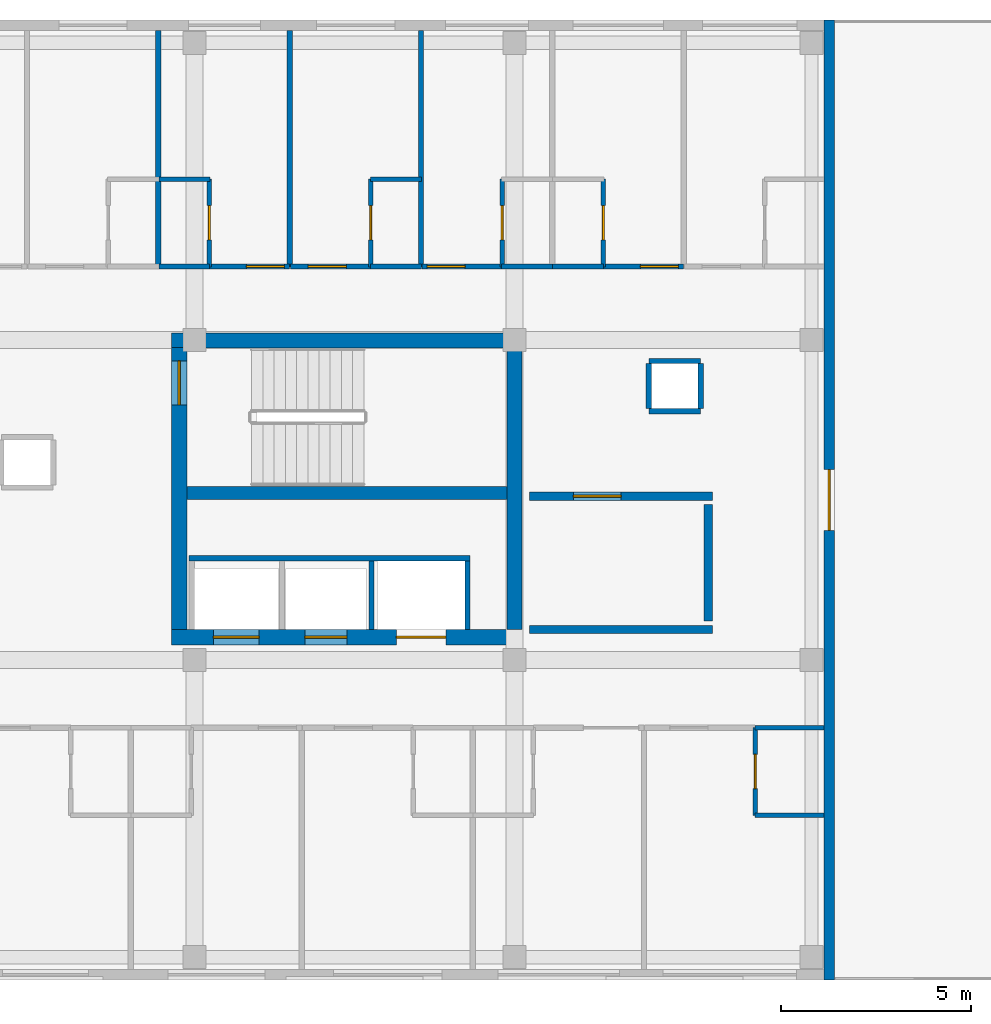
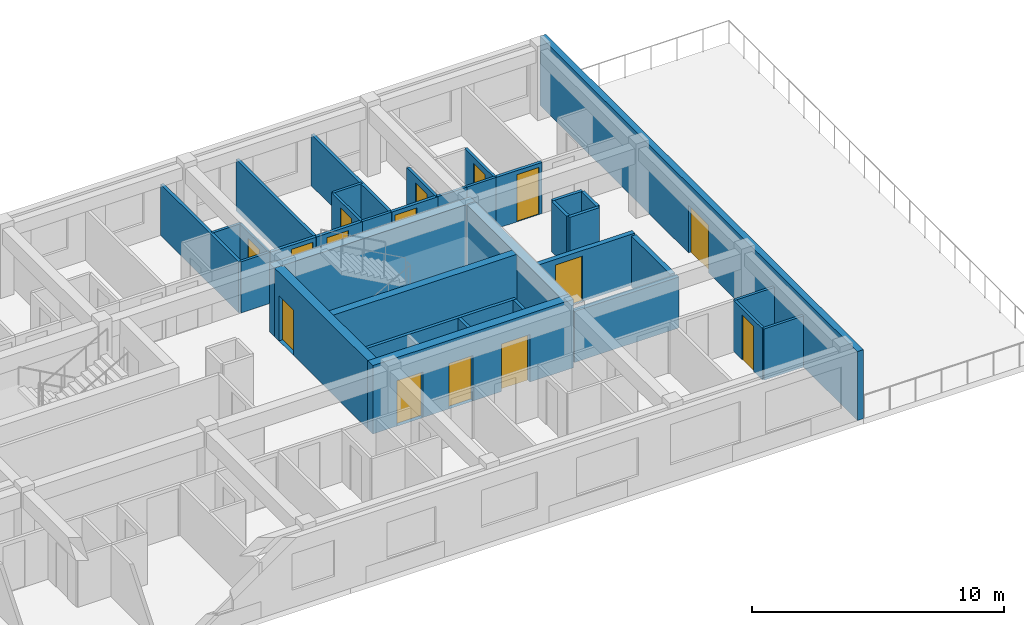
# One storey, part 6 of 9: 36 walls, 15 doors, 15 openings.
"""IFC4 building model written with IfcOpenShell, lengths in metres."""

from ifc_helpers import new_model, si_unit, direction, frame, frame_2d, origin, place, context, subcontext, project, spatial, rectangle, extrude, material, layer, layer_set, type_object, element, fill, save


model = new_model("IFC4")

# Units and contexts
model_context = context("Model", 3, precision=1e-05, world=origin(), true_north=direction((0.0, 1.0)))
body_context = subcontext(model_context, "Body", "Model", "MODEL_VIEW")
ifc_project = project(units=[si_unit("LENGTHUNIT", "METRE"), si_unit("AREAUNIT", "SQUARE_METRE"), si_unit("VOLUMEUNIT", "CUBIC_METRE"), si_unit("PLANEANGLEUNIT", "RADIAN"), si_unit("MASSUNIT", "GRAM", prefix="KILO")], contexts=[model_context])

# Site, building, storey
site_placement = place(None, origin())
site = spatial("IfcSite", under=ifc_project, at=site_placement, CompositionType="ELEMENT")
building_placement = place(site_placement, origin())
building = spatial("IfcBuilding", under=site, at=building_placement, Name="Zayran Congress Hotel", CompositionType="ELEMENT")
storey_placement = place(building_placement, frame((0.0, 0.0, 40.800048828125)))
storey = spatial("IfcBuildingStorey", under=building, at=storey_placement, Name="L10", CompositionType="ELEMENT", Elevation=40.800048828125)

# Wall, opening, door
ifc_material_1 = material(Name="Hajar Ma'ani limestone cavity wall and concrete C32/40", Category="masonry")
ifc_layer_1 = layer(ifc_material_1, 0.280029296875)
ifc_layer_set_1 = layer_set([ifc_layer_1], Name="Hajar Ma'ani limestone cavity wall and concrete C32/40")
wall_type_1 = type_object("IfcWallType", Name="WL-EX-280", PredefinedType="SOLIDWALL", material=ifc_layer_set_1)
wall_1_placement = place(storey_placement, frame((67.06005859375, 34.0, 0.0), z_axis=(0.0, 0.0, 1.0), x_axis=(0.0, -1.0, 0.0)))
wall_1 = element("IfcWall", 1, at=wall_1_placement, inside=storey, type_object=wall_type_1, Name="EW-V5-E-L10", PredefinedType="SOLIDWALL", context=body_context, shape_type="SweptSolid", body=[
    extrude(rectangle(XDim=25.199951171875, YDim=0.280029296875, at=frame_2d((12.60009765625, 0.0))), origin(), (0.0, 0.0, 1.0), 3.33984375),
])
opening_1_placement = place(wall_1_placement, frame((11.800048828125, 0.0, 0.0)))
opening_1 = element("IfcOpeningElement", 2, at=opening_1_placement, cuts=wall_1, Name="Opening DEX-04", PredefinedType="OPENING", context=body_context, shape_type="SweptSolid", body=[
    extrude(rectangle(XDim=1.60009765625, YDim=2.300048828125, at=frame_2d((0.800048828125, 1.14990234375))), frame((0.0, 0.14990234375, 0.0), z_axis=(0.0, -1.0, 0.0), x_axis=(1.0, 0.0, 0.0)), (0.0, 0.0, 1.0), 0.300048828125),
])
ifc_material_2 = material(Name="Anodised aluminium terrace door", Category="aluminium")
door_type_1 = type_object("IfcDoorType", Name="TP-DEX-04", OperationType="DOUBLE_DOOR_SINGLE_SWING", PredefinedType="DOOR", material=ifc_material_2)
door_1_placement = place(opening_1_placement, origin())
door_1 = element("IfcDoor", 3, at=door_1_placement, inside=storey, type_object=door_type_1, Name="L10 East Planted Roof Terrace Door", OperationType="DOUBLE_DOOR_SINGLE_SWING", OverallHeight=2.300048828125, OverallWidth=1.60009765625, PredefinedType="DOOR", context=body_context, shape_type="SweptSolid", body=[
    extrude(rectangle(XDim=1.60009765625, YDim=2.300048828125, at=frame_2d((0.800048828125, 1.14990234375))), frame((0.0, 0.02490234375, 0.0), z_axis=(0.0, -1.0, 0.0), x_axis=(1.0, 0.0, 0.0)), (0.0, 0.0, 1.0), 0.050048828125),
])
fill(opening_1, door_1)

# Wall, openings, doors
ifc_material_3 = material(Name="Concrete C40/50", Category="concrete")
ifc_layer_2 = layer(ifc_material_3, 0.39990234375)
ifc_layer_set_2 = layer_set([ifc_layer_2], Name="Concrete C40/50")
wall_type_2 = type_object("IfcWallType", Name="WL-SH-400", PredefinedType="SHEAR", material=ifc_layer_set_2)
wall_2_placement = place(storey_placement, frame((49.800048828125, 17.800048828125, 0.0), z_axis=(0.0, 0.0, 1.0), x_axis=(1.0, 0.0, 0.0)))
wall_2 = element("IfcWall", 4, at=wall_2_placement, inside=storey, type_object=wall_type_2, Name="CWALL-C-V5E-L10-S", PredefinedType="SHEAR", context=body_context, shape_type="SweptSolid", body=[
    extrude(rectangle(XDim=9.199951171875, YDim=0.39990234375, at=frame_2d((4.60009765625, 0.0))), origin(), (0.0, 0.0, 1.0), 3.320068359375),
])
opening_2_placement = place(wall_2_placement, frame((1.10009765625, 0.0, 0.0)))
opening_2 = element("IfcOpeningElement", 5, at=opening_2_placement, cuts=wall_2, Name="Opening LD-FL02", PredefinedType="OPENING", context=body_context, shape_type="SweptSolid", body=[
    extrude(rectangle(XDim=1.199951171875, YDim=2.199951171875, at=frame_2d((0.60009765625, 1.10009765625))), frame((0.0, 0.2099609375, 0.0), z_axis=(0.0, -1.0, 0.0), x_axis=(1.0, 0.0, 0.0)), (0.0, 0.0, 1.0), 0.419921875),
])
opening_3_placement = place(wall_2_placement, frame((3.5, 0.0, 0.0)))
opening_3 = element("IfcOpeningElement", 6, at=opening_3_placement, cuts=wall_2, Name="Opening LD-PL03", PredefinedType="OPENING", context=body_context, shape_type="SweptSolid", body=[
    extrude(rectangle(XDim=1.10009765625, YDim=2.199951171875, at=frame_2d((0.550048828125, 1.10009765625))), frame((0.0, 0.2099609375, 0.0), z_axis=(0.0, -1.0, 0.0), x_axis=(1.0, 0.0, 0.0)), (0.0, 0.0, 1.0), 0.419921875),
])
opening_4_placement = place(wall_2_placement, frame((5.89990234375, 0.0, 0.0)))
opening_4 = element("IfcOpeningElement", 7, at=opening_4_placement, cuts=wall_2, Name="Opening LD-SV01", PredefinedType="OPENING", context=body_context, shape_type="SweptSolid", body=[
    extrude(rectangle(XDim=1.300048828125, YDim=2.300048828125, at=frame_2d((0.64990234375, 1.14990234375))), frame((0.0, 0.2099609375, 0.0), z_axis=(0.0, -1.0, 0.0), x_axis=(1.0, 0.0, 0.0)), (0.0, 0.0, 1.0), 0.419921875),
])
ifc_material_4 = material(Name="Brushed stainless steel sliding lift landing door", Category="steel")
door_type_2 = type_object("IfcDoorType", Name="TP-DR-LD-01", OperationType="DOUBLE_DOOR_SLIDING", PredefinedType="DOOR", material=ifc_material_4)
door_2_placement = place(opening_3_placement, origin())
door_2 = element("IfcDoor", 8, at=door_2_placement, inside=storey, type_object=door_type_2, Name="Lift PL-03 Sliding Landing Door L10", OperationType="DOUBLE_DOOR_SLIDING", OverallHeight=2.199951171875, OverallWidth=1.10009765625, PredefinedType="DOOR", context=body_context, shape_type="SweptSolid", body=[
    extrude(rectangle(XDim=1.10009765625, YDim=2.199951171875, at=frame_2d((0.550048828125, 1.10009765625))), frame((0.0, 0.02490234375, 0.0), z_axis=(0.0, -1.0, 0.0), x_axis=(1.0, 0.0, 0.0)), (0.0, 0.0, 1.0), 0.050048828125),
])
fill(opening_3, door_2)
ifc_material_5 = material(Name="Brushed stainless steel firefighting lift landing door", Category="steel")
door_type_3 = type_object("IfcDoorType", Name="TP-DR-LD-02", OperationType="DOUBLE_DOOR_SLIDING", PredefinedType="DOOR", material=ifc_material_5)
door_3_placement = place(opening_2_placement, origin())
door_3 = element("IfcDoor", 9, at=door_3_placement, inside=storey, type_object=door_type_3, Name="Lift FL-02 Sliding Landing Door L10", OperationType="DOUBLE_DOOR_SLIDING", OverallHeight=2.199951171875, OverallWidth=1.199951171875, PredefinedType="DOOR", context=body_context, shape_type="SweptSolid", body=[
    extrude(rectangle(XDim=1.199951171875, YDim=2.199951171875, at=frame_2d((0.60009765625, 1.10009765625))), frame((0.0, 0.02490234375, 0.0), z_axis=(0.0, -1.0, 0.0), x_axis=(1.0, 0.0, 0.0)), (0.0, 0.0, 1.0), 0.050048828125),
])
fill(opening_2, door_3)
ifc_material_6 = material(Name="Heavy-duty stainless steel service lift landing door", Category="steel")
door_type_4 = type_object("IfcDoorType", Name="TP-DR-LD-03", OperationType="DOUBLE_DOOR_SLIDING", PredefinedType="DOOR", material=ifc_material_6)
door_4_placement = place(opening_4_placement, origin())
door_4 = element("IfcDoor", 10, at=door_4_placement, inside=storey, type_object=door_type_4, Name="Lift SV-01 Sliding Landing Door L10", OperationType="DOUBLE_DOOR_SLIDING", OverallHeight=2.300048828125, OverallWidth=1.300048828125, PredefinedType="DOOR", context=body_context, shape_type="SweptSolid", body=[
    extrude(rectangle(XDim=1.300048828125, YDim=2.300048828125, at=frame_2d((0.64990234375, 1.14990234375))), frame((0.0, 0.02490234375, 0.0), z_axis=(0.0, -1.0, 0.0), x_axis=(1.0, 0.0, 0.0)), (0.0, 0.0, 1.0), 0.050048828125),
])
fill(opening_4, door_4)

# Wall
wall_3_placement = place(storey_placement, frame((59.0, 25.5849609375, 0.0), z_axis=(0.0, 0.0, 1.0), x_axis=(-1.0, 0.0, 0.0)))
element("IfcWall", 11, at=wall_3_placement, inside=storey, type_object=wall_type_2, Name="CWALL-C-V5E-L10-N", PredefinedType="SHEAR", context=body_context, shape_type="SweptSolid", body=[
    extrude(rectangle(XDim=9.199951171875, YDim=0.39990234375, at=frame_2d((4.60009765625, 0.0))), origin(), (0.0, 0.0, 1.0), 3.320068359375),
])

# Wall, opening, door
wall_4_placement = place(storey_placement, frame((50.0, 25.39990234375, 0.0), z_axis=(0.0, 0.0, 1.0), x_axis=(0.0, -1.0, 0.0)))
wall_4 = element("IfcWall", 12, at=wall_4_placement, inside=storey, type_object=wall_type_2, Name="CWALL-C-V5E-L10-W", PredefinedType="SHEAR", context=body_context, shape_type="SweptSolid", body=[
    extrude(rectangle(XDim=7.39990234375, YDim=0.39990234375, at=frame_2d((3.699951171875, 0.0))), origin(), (0.0, 0.0, 1.0), 3.320068359375),
])
opening_5_placement = place(wall_4_placement, frame((0.35009765625, 0.0, 0.0)))
opening_5 = element("IfcOpeningElement", 13, at=opening_5_placement, cuts=wall_4, Name="Opening DR-FD-90", PredefinedType="OPENING", context=body_context, shape_type="SweptSolid", body=[
    extrude(rectangle(XDim=1.14990234375, YDim=2.199951171875, at=frame_2d((0.574951171875, 1.10009765625))), frame((0.0, 0.2099609375, 0.0), z_axis=(0.0, -1.0, 0.0), x_axis=(1.0, 0.0, 0.0)), (0.0, 0.0, 1.0), 0.419921875),
])
ifc_material_7 = material(Name="Painted steel fire door assembly", Category="steel")
door_type_5 = type_object("IfcDoorType", Name="TP-DR-FD-90", OperationType="NOTDEFINED", PredefinedType="DOOR", material=ifc_material_7)
door_5_placement = place(opening_5_placement, origin())
door_5 = element("IfcDoor", 14, at=door_5_placement, inside=storey, type_object=door_type_5, Name="ST-02 Exit Stair Door L10", OperationType="SINGLE_SWING_LEFT", OverallHeight=2.199951171875, OverallWidth=1.14990234375, PredefinedType="DOOR", context=body_context, shape_type="SweptSolid", body=[
    extrude(rectangle(XDim=1.14990234375, YDim=2.199951171875, at=frame_2d((0.574951171875, 1.10009765625))), frame((0.0, 0.02490234375, 0.0), z_axis=(0.0, -1.0, 0.0), x_axis=(1.0, 0.0, 0.0)), (0.0, 0.0, 1.0), 0.050048828125),
])
fill(opening_5, door_5)

# Walls
wall_5_placement = place(storey_placement, frame((58.800048828125, 18.0, 0.0), z_axis=(0.0, 0.0, 1.0), x_axis=(0.0, 1.0, 0.0)))
element("IfcWall", 15, at=wall_5_placement, inside=storey, type_object=wall_type_2, Name="CWALL-C-V5E-L10-E", PredefinedType="SHEAR", context=body_context, shape_type="SweptSolid", body=[
    extrude(rectangle(XDim=7.39990234375, YDim=0.39990234375, at=frame_2d((3.699951171875, 0.0))), origin(), (0.0, 0.0, 1.0), 3.320068359375),
])
ifc_layer_3 = layer(ifc_material_3, 0.35009765625)
ifc_layer_set_3 = layer_set([ifc_layer_3], Name="Concrete C40/50")
wall_type_3 = type_object("IfcWallType", Name="WL-SH-350", PredefinedType="SHEAR", material=ifc_layer_set_3)
wall_6_placement = place(storey_placement, frame((50.199951171875, 21.5849609375, 0.0), z_axis=(0.0, 0.0, 1.0), x_axis=(1.0, 0.0, 0.0)))
element("IfcWall", 16, at=wall_6_placement, inside=storey, type_object=wall_type_3, Name="CWALL-C-V5E-L10-SPN", PredefinedType="SHEAR", context=body_context, shape_type="SweptSolid", body=[
    extrude(rectangle(XDim=8.400146484375, YDim=0.35009765625, at=frame_2d((4.2001953125, 0.0))), origin(), (0.0, 0.0, 1.0), 3.320068359375),
])
ifc_material_8 = material(Name="Concrete C32/40 fire wall", Category="concrete")
ifc_layer_4 = layer(ifc_material_8, 0.219970703125)
ifc_layer_set_4 = layer_set([ifc_layer_4], Name="Concrete C32/40 fire wall")
wall_type_4 = type_object("IfcWallType", Name="WL-FF-220", PredefinedType="SOLIDWALL", material=ifc_layer_set_4)
wall_7_placement = place(storey_placement, frame((59.199951171875, 18.0, 0.0), z_axis=(0.0, 0.0, 1.0), x_axis=(1.0, 0.0, 0.0)))
element("IfcWall", 17, at=wall_7_placement, inside=storey, type_object=wall_type_4, Name="FFWL-C-V5E-L10-S", PredefinedType="SOLIDWALL", context=body_context, shape_type="SweptSolid", body=[
    extrude(rectangle(XDim=4.800048828125, YDim=0.219970703125, at=frame_2d((2.39990234375, 0.0))), origin(), (0.0, 0.0, 1.0), 2.469970703125),
])

# Wall, opening, door
wall_8_placement = place(storey_placement, frame((59.199951171875, 21.5, 0.0), z_axis=(0.0, 0.0, 1.0), x_axis=(1.0, 0.0, 0.0)))
wall_8 = element("IfcWall", 18, at=wall_8_placement, inside=storey, type_object=wall_type_4, Name="FFWL-C-V5E-L10-N", PredefinedType="SOLIDWALL", context=body_context, shape_type="SweptSolid", body=[
    extrude(rectangle(XDim=4.800048828125, YDim=0.219970703125, at=frame_2d((2.39990234375, 0.0))), origin(), (0.0, 0.0, 1.0), 2.469970703125),
])
opening_6_placement = place(wall_8_placement, frame((1.14990234375, 0.0, 0.0)))
opening_6 = element("IfcOpeningElement", 19, at=opening_6_placement, cuts=wall_8, Name="Opening DR-FF-60", PredefinedType="OPENING", context=body_context, shape_type="SweptSolid", body=[
    extrude(rectangle(XDim=1.25, YDim=2.199951171875, at=frame_2d((0.625, 1.10009765625))), frame((0.0, 0.119873046875, 0.0), z_axis=(0.0, -1.0, 0.0), x_axis=(1.0, 0.0, 0.0)), (0.0, 0.0, 1.0), 0.239990234375),
])
ifc_material_9 = material(Name="Painted steel smoke-seal fire door", Category="steel")
door_type_6 = type_object("IfcDoorType", Name="TP-DR-FF-60", OperationType="NOTDEFINED", PredefinedType="DOOR", material=ifc_material_9)
door_6_placement = place(opening_6_placement, origin())
door_6 = element("IfcDoor", 20, at=door_6_placement, inside=storey, type_object=door_type_6, Name="Firefighting Lift Lobby Door C-V5E L10", OperationType="SINGLE_SWING_RIGHT", OverallHeight=2.199951171875, OverallWidth=1.25, PredefinedType="DOOR", context=body_context, shape_type="SweptSolid", body=[
    extrude(rectangle(XDim=1.25, YDim=2.199951171875, at=frame_2d((0.625, 1.10009765625))), frame((0.0, 0.02490234375, 0.0), z_axis=(0.0, -1.0, 0.0), x_axis=(1.0, 0.0, 0.0)), (0.0, 0.0, 1.0), 0.050048828125),
])
fill(opening_6, door_6)

# Walls
wall_9_placement = place(storey_placement, frame((63.889892578125, 18.219970703125, 0.0), z_axis=(0.0, 0.0, 1.0), x_axis=(0.0, 1.0, 0.0)))
element("IfcWall", 21, at=wall_9_placement, inside=storey, type_object=wall_type_4, Name="FFWL-C-V5E-L10-SD", PredefinedType="SOLIDWALL", context=body_context, shape_type="SweptSolid", body=[
    extrude(rectangle(XDim=3.06005859375, YDim=0.219970703125, at=frame_2d((1.530029296875, 0.0))), origin(), (0.0, 0.0, 1.0), 2.469970703125),
])
ifc_material_10 = material(Name="Hospitality guestroom acoustic partition", Category="gypsum")
ifc_layer_5 = layer(ifc_material_10, 0.139892578125)
ifc_layer_set_5 = layer_set([ifc_layer_5], Name="Hospitality guestroom acoustic partition")
wall_type_5 = type_object("IfcWallType", Name="WL-PT-140", PredefinedType="PARTITIONING", material=ifc_layer_set_5)
for number, where, z_axis, x_axis, name in (
    (22, (55.050048828125, 18.0, 0.0), (0.0, 0.0, 1.0), (0.0, 1.0, 0.0), "LSHW-C-V5E-L10-DIV2"),
    (23, (57.570068359375, 18.0, 0.0), (0.0, 0.0, 1.0), (0.0, 1.0, 0.0), "LSHW-C-V5E-L10-E"),
):
    element("IfcWall", number, at=place(storey_placement, frame(where, z_axis=z_axis, x_axis=x_axis)), inside=storey, type_object=wall_type_5, Name=name, PredefinedType="PARTITIONING", context=body_context, shape_type="SweptSolid", body=[
        extrude(rectangle(XDim=1.800048828125, YDim=0.139892578125, at=frame_2d((0.89990234375, 0.0))), origin(), (0.0, 0.0, 1.0), 2.469970703125),
    ])
wall_10_placement = place(storey_placement, frame((50.260009765625, 19.8701171875, 0.0), z_axis=(0.0, 0.0, 1.0), x_axis=(1.0, 0.0, 0.0)))
element("IfcWall", 24, at=wall_10_placement, inside=storey, type_object=wall_type_5, Name="LSHW-C-V5E-L10-N", PredefinedType="PARTITIONING", context=body_context, shape_type="SweptSolid", body=[
    extrude(rectangle(XDim=7.3798828125, YDim=0.139892578125, at=frame_2d((3.68994140625, 0.0))), origin(), (0.0, 0.0, 1.0), 2.469970703125),
])

# Wall, opening, door
wall_11_placement = place(storey_placement, frame((50.7939453125, 27.530029296875, 0.0), z_axis=(0.0, 0.0, 1.0), x_axis=(1.0, 0.0, 0.0)))
wall_11 = element("IfcWall", 25, at=wall_11_placement, inside=storey, type_object=wall_type_5, Name="IW-L10-0832", PredefinedType="PARTITIONING", context=body_context, shape_type="SweptSolid", body=[
    extrude(rectangle(XDim=2.10693359375, YDim=0.139892578125, at=frame_2d((1.053466796875, 0.0))), origin(), (0.0, 0.0, 1.0), 2.47998046875),
])
opening_7_placement = place(wall_11_placement, frame((0.967041015625, 0.0, 0.0)))
opening_7 = element("IfcOpeningElement", 26, at=opening_7_placement, cuts=wall_11, Name="Opening DR-GR-04", PredefinedType="OPENING", context=body_context, shape_type="SweptSolid", body=[
    extrude(rectangle(XDim=1.0, YDim=2.280029296875, at=frame_2d((0.5, 1.14013671875))), frame((0.0, 0.079833984375, 0.0), z_axis=(0.0, -1.0, 0.0), x_axis=(1.0, 0.0, 0.0)), (0.0, 0.0, 1.0), 0.159912109375),
])
ifc_material_11 = material(Name="Diplomatic walnut veneer entry door", Category="wood")
door_type_7 = type_object("IfcDoorType", Name="TP-DR-GR-04", OperationType="NOTDEFINED", PredefinedType="DOOR", material=ifc_material_11)
door_7_placement = place(opening_7_placement, origin())
door_7 = element("IfcDoor", 27, at=door_7_placement, inside=storey, type_object=door_type_7, Name="Guest Room L10-18 Door", OperationType="SINGLE_SWING_RIGHT", OverallHeight=2.280029296875, OverallWidth=1.0, PredefinedType="DOOR", context=body_context, shape_type="SweptSolid", body=[
    extrude(rectangle(XDim=1.0, YDim=2.280029296875, at=frame_2d((0.5, 1.14013671875))), frame((0.0, 0.02490234375, 0.0), z_axis=(0.0, -1.0, 0.0), x_axis=(1.0, 0.0, 0.0)), (0.0, 0.0, 1.0), 0.050048828125),
])
fill(opening_7, door_7)

wall_12_placement = place(storey_placement, frame((52.9208984375, 27.530029296875, 0.0), z_axis=(0.0, 0.0, 1.0), x_axis=(1.0, 0.0, 0.0)))
wall_12 = element("IfcWall", 28, at=wall_12_placement, inside=storey, type_object=wall_type_5, Name="IW-L10-0833", PredefinedType="PARTITIONING", context=body_context, shape_type="SweptSolid", body=[
    extrude(rectangle(XDim=2.107177734375, YDim=0.139892578125, at=frame_2d((1.0537109375, 0.0))), origin(), (0.0, 0.0, 1.0), 2.47998046875),
])
opening_8_placement = place(wall_12_placement, frame((0.465087890625, 0.0, 0.0)))
opening_8 = element("IfcOpeningElement", 29, at=opening_8_placement, cuts=wall_12, Name="Opening DR-GR-04", PredefinedType="OPENING", context=body_context, shape_type="SweptSolid", body=[
    extrude(rectangle(XDim=1.0, YDim=2.280029296875, at=frame_2d((0.5, 1.14013671875))), frame((0.0, 0.079833984375, 0.0), z_axis=(0.0, -1.0, 0.0), x_axis=(1.0, 0.0, 0.0)), (0.0, 0.0, 1.0), 0.159912109375),
])
door_8_placement = place(opening_8_placement, origin())
door_8 = element("IfcDoor", 30, at=door_8_placement, inside=storey, type_object=door_type_7, Name="Guest Room L10-19 Door", OperationType="SINGLE_SWING_LEFT", OverallHeight=2.280029296875, OverallWidth=1.0, PredefinedType="DOOR", context=body_context, shape_type="SweptSolid", body=[
    extrude(rectangle(XDim=1.0, YDim=2.280029296875, at=frame_2d((0.5, 1.14013671875))), frame((0.0, 0.02490234375, 0.0), z_axis=(0.0, -1.0, 0.0), x_axis=(1.0, 0.0, 0.0)), (0.0, 0.0, 1.0), 0.050048828125),
])
fill(opening_8, door_8)

wall_13_placement = place(storey_placement, frame((56.367919921875, 27.530029296875, 0.0), z_axis=(0.0, 0.0, 1.0), x_axis=(1.0, 0.0, 0.0)))
wall_13 = element("IfcWall", 31, at=wall_13_placement, inside=storey, type_object=wall_type_5, Name="IW-L10-0834", PredefinedType="PARTITIONING", context=body_context, shape_type="SweptSolid", body=[
    extrude(rectangle(XDim=2.107177734375, YDim=0.139892578125, at=frame_2d((1.0537109375, 0.0))), origin(), (0.0, 0.0, 1.0), 2.47998046875),
])
opening_9_placement = place(wall_13_placement, frame((0.139892578125, 0.0, 0.0)))
opening_9 = element("IfcOpeningElement", 32, at=opening_9_placement, cuts=wall_13, Name="Opening DR-GR-04", PredefinedType="OPENING", context=body_context, shape_type="SweptSolid", body=[
    extrude(rectangle(XDim=1.0, YDim=2.280029296875, at=frame_2d((0.5, 1.14013671875))), frame((0.0, 0.079833984375, 0.0), z_axis=(0.0, -1.0, 0.0), x_axis=(1.0, 0.0, 0.0)), (0.0, 0.0, 1.0), 0.159912109375),
])
door_9_placement = place(opening_9_placement, origin())
door_9 = element("IfcDoor", 33, at=door_9_placement, inside=storey, type_object=door_type_7, Name="Guest Room L10-20 Door", OperationType="SINGLE_SWING_RIGHT", OverallHeight=2.280029296875, OverallWidth=1.0, PredefinedType="DOOR", context=body_context, shape_type="SweptSolid", body=[
    extrude(rectangle(XDim=1.0, YDim=2.280029296875, at=frame_2d((0.5, 1.14013671875))), frame((0.0, 0.02490234375, 0.0), z_axis=(0.0, -1.0, 0.0), x_axis=(1.0, 0.0, 0.0)), (0.0, 0.0, 1.0), 0.050048828125),
])
fill(opening_9, door_9)

wall_14_placement = place(storey_placement, frame((61.135009765625, 27.530029296875, 0.0), z_axis=(0.0, 0.0, 1.0), x_axis=(1.0, 0.0, 0.0)))
wall_14 = element("IfcWall", 34, at=wall_14_placement, inside=storey, type_object=wall_type_5, Name="IW-L10-0835", PredefinedType="PARTITIONING", context=body_context, shape_type="SweptSolid", body=[
    extrude(rectangle(XDim=2.10791015625, YDim=0.139892578125, at=frame_2d((1.053955078125, 0.0))), origin(), (0.0, 0.0, 1.0), 2.47998046875),
])
opening_10_placement = place(wall_14_placement, frame((0.968017578125, 0.0, 0.0)))
opening_10 = element("IfcOpeningElement", 35, at=opening_10_placement, cuts=wall_14, Name="Opening DR-GR-04", PredefinedType="OPENING", context=body_context, shape_type="SweptSolid", body=[
    extrude(rectangle(XDim=1.0, YDim=2.280029296875, at=frame_2d((0.5, 1.14013671875))), frame((0.0, 0.079833984375, 0.0), z_axis=(0.0, -1.0, 0.0), x_axis=(1.0, 0.0, 0.0)), (0.0, 0.0, 1.0), 0.159912109375),
])
door_10_placement = place(opening_10_placement, origin())
door_10 = element("IfcDoor", 36, at=door_10_placement, inside=storey, type_object=door_type_7, Name="Guest Room L10-21 Door", OperationType="SINGLE_SWING_LEFT", OverallHeight=2.280029296875, OverallWidth=1.0, PredefinedType="DOOR", context=body_context, shape_type="SweptSolid", body=[
    extrude(rectangle(XDim=1.0, YDim=2.280029296875, at=frame_2d((0.5, 1.14013671875))), frame((0.0, 0.02490234375, 0.0), z_axis=(0.0, -1.0, 0.0), x_axis=(1.0, 0.0, 0.0)), (0.0, 0.0, 1.0), 0.050048828125),
])
fill(opening_10, door_10)

# Walls
for number, where, z_axis, x_axis, name in (
    (37, (49.4541015625, 27.52001953125, 0.0), (0.0, 0.0, 1.0), (0.0, 1.0, 0.0), "IW-L10-2166"),
    (38, (52.90087890625, 27.52001953125, 0.0), (0.0, 0.0, 1.0), (0.0, 1.0, 0.0), "IW-L10-2167"),
    (39, (56.347900390625, 27.52001953125, 0.0), (0.0, 0.0, 1.0), (0.0, 1.0, 0.0), "IW-L10-2168"),
):
    element("IfcWall", number, at=place(storey_placement, frame(where, z_axis=z_axis, x_axis=x_axis)), inside=storey, type_object=wall_type_5, Name=name, PredefinedType="PARTITIONING", context=body_context, shape_type="SweptSolid", body=[
        extrude(rectangle(XDim=6.199951171875, YDim=0.139892578125, at=frame_2d((3.10009765625, 0.0))), origin(), (0.0, 0.0, 1.0), 2.47998046875),
    ])
for number, where, z_axis, x_axis, name in (
    (40, (62.330078125, 23.72998046875, 0.0), (0.0, 0.0, 1.0), (1.0, 0.0, 0.0), "RSWL-V5-L10-055-S"),
    (41, (63.68994140625, 25.050048828125, 0.0), (0.0, 0.0, 1.0), (-1.0, 0.0, 0.0), "RSWL-V5-L10-055-N"),
):
    element("IfcWall", number, at=place(storey_placement, frame(where, z_axis=z_axis, x_axis=x_axis)), inside=storey, type_object=wall_type_5, Name=name, PredefinedType="PARTITIONING", context=body_context, shape_type="SweptSolid", body=[
        extrude(rectangle(XDim=1.35986328125, YDim=0.139892578125, at=frame_2d((0.679931640625, 0.0))), origin(), (0.0, 0.0, 1.0), 2.43994140625),
    ])
for number, where, z_axis, x_axis, name in (
    (42, (62.330078125, 24.97998046875, 0.0), (0.0, 0.0, 1.0), (0.0, -1.0, 0.0), "RSWL-V5-L10-055-W"),
    (43, (63.68994140625, 23.800048828125, 0.0), (0.0, 0.0, 1.0), (0.0, 1.0, 0.0), "RSWL-V5-L10-055-E"),
):
    element("IfcWall", number, at=place(storey_placement, frame(where, z_axis=z_axis, x_axis=x_axis)), inside=storey, type_object=wall_type_5, Name=name, PredefinedType="PARTITIONING", context=body_context, shape_type="SweptSolid", body=[
        extrude(rectangle(XDim=1.179931640625, YDim=0.139892578125, at=frame_2d((0.58984375, 0.0))), origin(), (0.0, 0.0, 1.0), 2.43994140625),
    ])

# Wall, opening, door
ifc_material_12 = material(Name="Moisture-resistant bathroom partition", Category="gypsum")
ifc_layer_6 = layer(ifc_material_12, 0.1201171875)
ifc_layer_set_6 = layer_set([ifc_layer_6], Name="Moisture-resistant bathroom partition")
wall_type_6 = type_object("IfcWallType", Name="WL-PT-120", PredefinedType="PARTITIONING", material=ifc_layer_set_6)
wall_15_placement = place(storey_placement, frame((65.12109375, 13.1201171875, 0.0), z_axis=(0.0, 0.0, 1.0), x_axis=(0.0, 1.0, 0.0)))
wall_15 = element("IfcWall", 44, at=wall_15_placement, inside=storey, type_object=wall_type_6, Name="IW-L10-0305", PredefinedType="PARTITIONING", context=body_context, shape_type="SweptSolid", body=[
    extrude(rectangle(XDim=2.309814453125, YDim=0.1201171875, at=frame_2d((1.15478515625, 0.0))), origin(), (0.0, 0.0, 1.0), 2.47998046875),
])
opening_11_placement = place(wall_15_placement, frame((0.705078125, 0.0, 0.0)))
opening_11 = element("IfcOpeningElement", 45, at=opening_11_placement, cuts=wall_15, Name="Opening DR-BT-03", PredefinedType="OPENING", context=body_context, shape_type="SweptSolid", body=[
    extrude(rectangle(XDim=0.89990234375, YDim=2.179931640625, at=frame_2d((0.449951171875, 1.08984375))), frame((0.0, 0.070068359375, 0.0), z_axis=(0.0, -1.0, 0.0), x_axis=(1.0, 0.0, 0.0)), (0.0, 0.0, 1.0), 0.14013671875),
])
ifc_material_13 = material(Name="Suite oak en-suite bathroom door", Category="wood")
door_type_8 = type_object("IfcDoorType", Name="TP-DR-BT-03", OperationType="NOTDEFINED", PredefinedType="DOOR", material=ifc_material_13)
door_11_placement = place(opening_11_placement, origin())
door_11 = element("IfcDoor", 46, at=door_11_placement, inside=storey, type_object=door_type_8, Name="En-Suite Bathroom L10-11 Door", OperationType="SINGLE_SWING_RIGHT", OverallHeight=2.179931640625, OverallWidth=0.89990234375, PredefinedType="DOOR", context=body_context, shape_type="SweptSolid", body=[
    extrude(rectangle(XDim=0.89990234375, YDim=2.179931640625, at=frame_2d((0.449951171875, 1.08984375))), frame((0.0, 0.02490234375, 0.0), z_axis=(0.0, -1.0, 0.0), x_axis=(1.0, 0.0, 0.0)), (0.0, 0.0, 1.0), 0.050048828125),
])
fill(opening_11, door_11)

wall_16_placement = place(storey_placement, frame((50.7939453125, 27.52001953125, 0.0), z_axis=(0.0, 0.0, 1.0), x_axis=(0.0, 1.0, 0.0)))
wall_16 = element("IfcWall", 47, at=wall_16_placement, inside=storey, type_object=wall_type_6, Name="IW-L10-0312", PredefinedType="PARTITIONING", context=body_context, shape_type="SweptSolid", body=[
    extrude(rectangle(XDim=2.31005859375, YDim=0.1201171875, at=frame_2d((1.155029296875, 0.0))), origin(), (0.0, 0.0, 1.0), 2.47998046875),
])
opening_12_placement = place(wall_16_placement, frame((0.705078125, 0.0, 0.0)))
opening_12 = element("IfcOpeningElement", 48, at=opening_12_placement, cuts=wall_16, Name="Opening DR-BT-03", PredefinedType="OPENING", context=body_context, shape_type="SweptSolid", body=[
    extrude(rectangle(XDim=0.89990234375, YDim=2.179931640625, at=frame_2d((0.449951171875, 1.08984375))), frame((0.0, 0.070068359375, 0.0), z_axis=(0.0, -1.0, 0.0), x_axis=(1.0, 0.0, 0.0)), (0.0, 0.0, 1.0), 0.14013671875),
])
door_12_placement = place(opening_12_placement, origin())
door_12 = element("IfcDoor", 49, at=door_12_placement, inside=storey, type_object=door_type_8, Name="En-Suite Bathroom L10-18 Door", OperationType="SINGLE_SWING_LEFT", OverallHeight=2.179931640625, OverallWidth=0.89990234375, PredefinedType="DOOR", context=body_context, shape_type="SweptSolid", body=[
    extrude(rectangle(XDim=0.89990234375, YDim=2.179931640625, at=frame_2d((0.449951171875, 1.08984375))), frame((0.0, 0.02490234375, 0.0), z_axis=(0.0, -1.0, 0.0), x_axis=(1.0, 0.0, 0.0)), (0.0, 0.0, 1.0), 0.050048828125),
])
fill(opening_12, door_12)

wall_17_placement = place(storey_placement, frame((55.028076171875, 27.52001953125, 0.0), z_axis=(0.0, 0.0, 1.0), x_axis=(0.0, 1.0, 0.0)))
wall_17 = element("IfcWall", 50, at=wall_17_placement, inside=storey, type_object=wall_type_6, Name="IW-L10-0313", PredefinedType="PARTITIONING", context=body_context, shape_type="SweptSolid", body=[
    extrude(rectangle(XDim=2.31005859375, YDim=0.1201171875, at=frame_2d((1.155029296875, 0.0))), origin(), (0.0, 0.0, 1.0), 2.47998046875),
])
opening_13_placement = place(wall_17_placement, frame((0.705078125, 0.0, 0.0)))
opening_13 = element("IfcOpeningElement", 51, at=opening_13_placement, cuts=wall_17, Name="Opening DR-BT-03", PredefinedType="OPENING", context=body_context, shape_type="SweptSolid", body=[
    extrude(rectangle(XDim=0.89990234375, YDim=2.179931640625, at=frame_2d((0.449951171875, 1.08984375))), frame((0.0, 0.070068359375, 0.0), z_axis=(0.0, -1.0, 0.0), x_axis=(1.0, 0.0, 0.0)), (0.0, 0.0, 1.0), 0.14013671875),
])
door_13_placement = place(opening_13_placement, origin())
door_13 = element("IfcDoor", 52, at=door_13_placement, inside=storey, type_object=door_type_8, Name="En-Suite Bathroom L10-19 Door", OperationType="SINGLE_SWING_RIGHT", OverallHeight=2.179931640625, OverallWidth=0.89990234375, PredefinedType="DOOR", context=body_context, shape_type="SweptSolid", body=[
    extrude(rectangle(XDim=0.89990234375, YDim=2.179931640625, at=frame_2d((0.449951171875, 1.08984375))), frame((0.0, 0.02490234375, 0.0), z_axis=(0.0, -1.0, 0.0), x_axis=(1.0, 0.0, 0.0)), (0.0, 0.0, 1.0), 0.050048828125),
])
fill(opening_13, door_13)

wall_18_placement = place(storey_placement, frame((58.47509765625, 27.52001953125, 0.0), z_axis=(0.0, 0.0, 1.0), x_axis=(0.0, 1.0, 0.0)))
wall_18 = element("IfcWall", 53, at=wall_18_placement, inside=storey, type_object=wall_type_6, Name="IW-L10-0314", PredefinedType="PARTITIONING", context=body_context, shape_type="SweptSolid", body=[
    extrude(rectangle(XDim=2.31005859375, YDim=0.1201171875, at=frame_2d((1.155029296875, 0.0))), origin(), (0.0, 0.0, 1.0), 2.47998046875),
])
opening_14_placement = place(wall_18_placement, frame((0.705078125, 0.0, 0.0)))
opening_14 = element("IfcOpeningElement", 54, at=opening_14_placement, cuts=wall_18, Name="Opening DR-BT-03", PredefinedType="OPENING", context=body_context, shape_type="SweptSolid", body=[
    extrude(rectangle(XDim=0.89990234375, YDim=2.179931640625, at=frame_2d((0.449951171875, 1.08984375))), frame((0.0, 0.070068359375, 0.0), z_axis=(0.0, -1.0, 0.0), x_axis=(1.0, 0.0, 0.0)), (0.0, 0.0, 1.0), 0.14013671875),
])
door_14_placement = place(opening_14_placement, origin())
door_14 = element("IfcDoor", 55, at=door_14_placement, inside=storey, type_object=door_type_8, Name="En-Suite Bathroom L10-20 Door", OperationType="SINGLE_SWING_LEFT", OverallHeight=2.179931640625, OverallWidth=0.89990234375, PredefinedType="DOOR", context=body_context, shape_type="SweptSolid", body=[
    extrude(rectangle(XDim=0.89990234375, YDim=2.179931640625, at=frame_2d((0.449951171875, 1.08984375))), frame((0.0, 0.02490234375, 0.0), z_axis=(0.0, -1.0, 0.0), x_axis=(1.0, 0.0, 0.0)), (0.0, 0.0, 1.0), 0.050048828125),
])
fill(opening_14, door_14)

wall_19_placement = place(storey_placement, frame((61.135009765625, 27.52001953125, 0.0), z_axis=(0.0, 0.0, 1.0), x_axis=(0.0, 1.0, 0.0)))
wall_19 = element("IfcWall", 56, at=wall_19_placement, inside=storey, type_object=wall_type_6, Name="IW-L10-0315", PredefinedType="PARTITIONING", context=body_context, shape_type="SweptSolid", body=[
    extrude(rectangle(XDim=2.31005859375, YDim=0.1201171875, at=frame_2d((1.155029296875, 0.0))), origin(), (0.0, 0.0, 1.0), 2.47998046875),
])
opening_15_placement = place(wall_19_placement, frame((0.705078125, 0.0, 0.0)))
opening_15 = element("IfcOpeningElement", 57, at=opening_15_placement, cuts=wall_19, Name="Opening DR-BT-03", PredefinedType="OPENING", context=body_context, shape_type="SweptSolid", body=[
    extrude(rectangle(XDim=0.89990234375, YDim=2.179931640625, at=frame_2d((0.449951171875, 1.08984375))), frame((0.0, 0.070068359375, 0.0), z_axis=(0.0, -1.0, 0.0), x_axis=(1.0, 0.0, 0.0)), (0.0, 0.0, 1.0), 0.14013671875),
])
door_15_placement = place(opening_15_placement, origin())
door_15 = element("IfcDoor", 58, at=door_15_placement, inside=storey, type_object=door_type_8, Name="En-Suite Bathroom L10-21 Door", OperationType="SINGLE_SWING_RIGHT", OverallHeight=2.179931640625, OverallWidth=0.89990234375, PredefinedType="DOOR", context=body_context, shape_type="SweptSolid", body=[
    extrude(rectangle(XDim=0.89990234375, YDim=2.179931640625, at=frame_2d((0.449951171875, 1.08984375))), frame((0.0, 0.02490234375, 0.0), z_axis=(0.0, -1.0, 0.0), x_axis=(1.0, 0.0, 0.0)), (0.0, 0.0, 1.0), 0.050048828125),
])
fill(opening_15, door_15)

# Walls
for number, where, z_axis, x_axis, name in (
    (59, (65.111083984375, 13.1298828125, 0.0), (0.0, 0.0, 1.0), (1.0, 0.0, 0.0), "IW-L10-1477"),
    (60, (65.111083984375, 15.419921875, 0.0), (0.0, 0.0, 1.0), (1.0, 0.0, 0.0), "IW-L10-1478"),
):
    element("IfcWall", number, at=place(storey_placement, frame(where, z_axis=z_axis, x_axis=x_axis)), inside=storey, type_object=wall_type_6, Name=name, PredefinedType="PARTITIONING", context=body_context, shape_type="SweptSolid", body=[
        extrude(rectangle(XDim=1.808837890625, YDim=0.1201171875, at=frame_2d((0.904296875, 0.0))), origin(), (0.0, 0.0, 1.0), 2.47998046875),
    ])
wall_20_placement = place(storey_placement, frame((49.464111328125, 27.530029296875, 0.0), z_axis=(0.0, 0.0, 1.0), x_axis=(1.0, 0.0, 0.0)))
element("IfcWall", 61, at=wall_20_placement, inside=storey, type_object=wall_type_6, Name="IW-L10-1491", PredefinedType="PARTITIONING", context=body_context, shape_type="SweptSolid", body=[
    extrude(rectangle(XDim=1.329833984375, YDim=0.1201171875, at=frame_2d((0.6650390625, 0.0))), origin(), (0.0, 0.0, 1.0), 2.47998046875),
])
for number, where, z_axis, x_axis, name in (
    (62, (49.464111328125, 29.820068359375, 0.0), (0.0, 0.0, 1.0), (1.0, 0.0, 0.0), "IW-L10-1492"),
    (63, (55.01806640625, 27.530029296875, 0.0), (0.0, 0.0, 1.0), (1.0, 0.0, 0.0), "IW-L10-1493"),
    (64, (55.01806640625, 29.820068359375, 0.0), (0.0, 0.0, 1.0), (1.0, 0.0, 0.0), "IW-L10-1494"),
    (65, (58.465087890625, 27.530029296875, 0.0), (0.0, 0.0, 1.0), (1.0, 0.0, 0.0), "IW-L10-1495"),
):
    element("IfcWall", number, at=place(storey_placement, frame(where, z_axis=z_axis, x_axis=x_axis)), inside=storey, type_object=wall_type_6, Name=name, PredefinedType="PARTITIONING", context=body_context, shape_type="SweptSolid", body=[
        extrude(rectangle(XDim=1.33984375, YDim=0.1201171875, at=frame_2d((0.669921875, 0.0))), origin(), (0.0, 0.0, 1.0), 2.47998046875),
    ])
wall_21_placement = place(storey_placement, frame((59.804931640625, 27.530029296875, 0.0), z_axis=(0.0, 0.0, 1.0), x_axis=(1.0, 0.0, 0.0)))
element("IfcWall", 66, at=wall_21_placement, inside=storey, type_object=wall_type_6, Name="IW-L10-1497", PredefinedType="PARTITIONING", context=body_context, shape_type="SweptSolid", body=[
    extrude(rectangle(XDim=1.330078125, YDim=0.1201171875, at=frame_2d((0.6650390625, 0.0))), origin(), (0.0, 0.0, 1.0), 2.47998046875),
])

save(model, "model.ifc")
